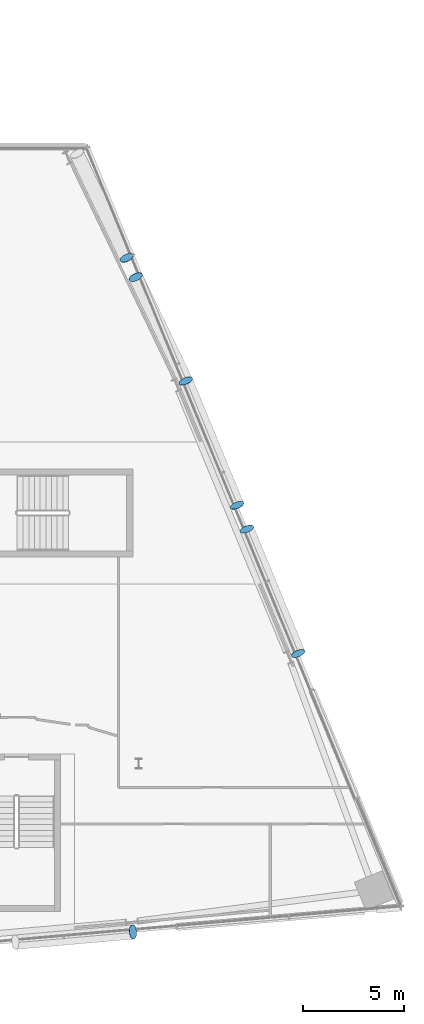
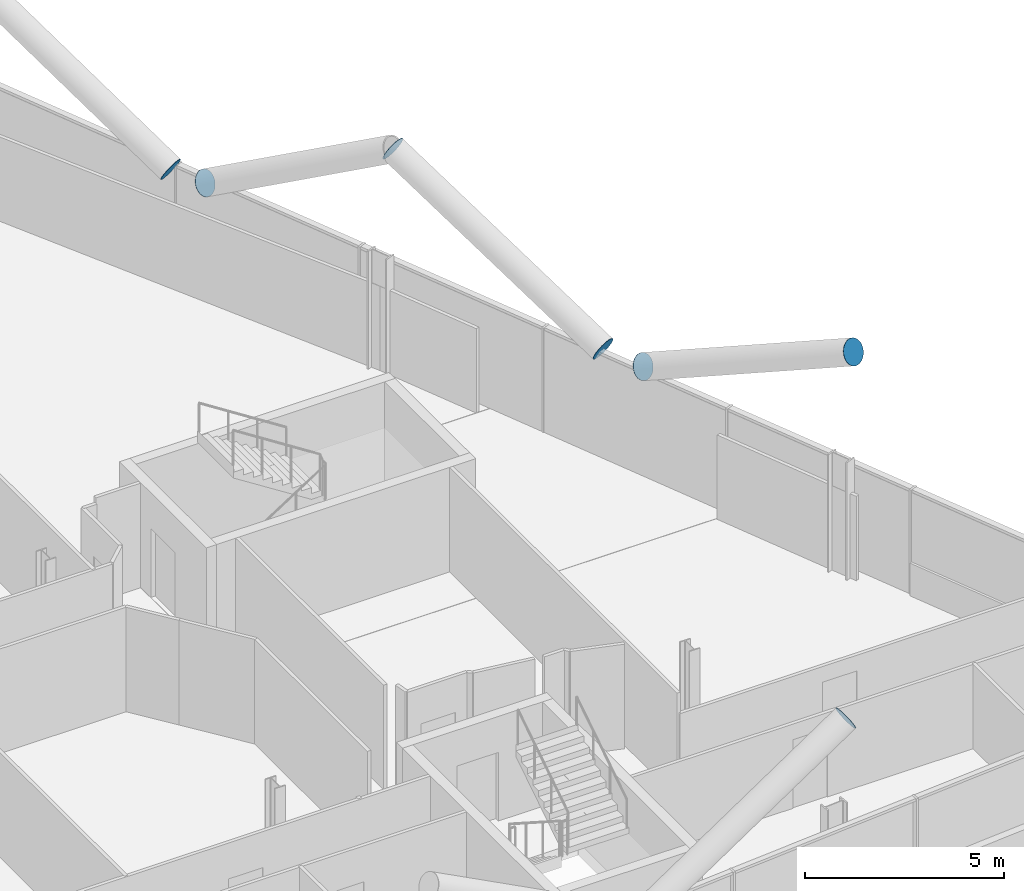
# One storey, part 24 of 27: 7 discrete accessories.
"""IFC4 building model written with IfcOpenShell, lengths in metres."""

from ifc_helpers import new_model, si_unit, direction, frame, origin, origin_2d, place, context, subcontext, project, spatial, circle, extrude, material, material_profile, profile_set, type_object, element, save


model = new_model("IFC4")

# Units and contexts
model_context = context("Model", 3, precision=1e-05, world=origin(), true_north=direction((0.0, 1.0)))
body_context = subcontext(model_context, "Body", "Model", "MODEL_VIEW")
ifc_project = project(units=[si_unit("LENGTHUNIT", "METRE"), si_unit("AREAUNIT", "SQUARE_METRE"), si_unit("VOLUMEUNIT", "CUBIC_METRE"), si_unit("PLANEANGLEUNIT", "RADIAN"), si_unit("MASSUNIT", "GRAM", prefix="KILO")], contexts=[model_context])

# Site, building, storey
site_placement = place(None, origin())
site = spatial("IfcSite", under=ifc_project, at=site_placement, CompositionType="ELEMENT")
building_placement = place(site_placement, origin())
building = spatial("IfcBuilding", under=site, at=building_placement, Name="Wharfspan Tower", CompositionType="ELEMENT")
storey_placement = place(building_placement, frame((0.0, 0.0, 195.100098)))
storey = spatial("IfcBuildingStorey", under=building, at=storey_placement, Name="L48", CompositionType="ELEMENT", Elevation=195.100098)

# Discrete accessories
ifc_material = material(Name="Steel S460NH", Category="steel")
ifc_material_profile = material_profile(ifc_material, circle(Radius=0.355469, at=origin_2d()))
ifc_profile_set = profile_set([ifc_material_profile], Name="Steel S460NH")
discrete_accessory_type = type_object("IfcDiscreteAccessoryType", Name="End plate CHS 711x36", PredefinedType="BRACKET", material=ifc_profile_set)
discrete_accessory_placement = place(storey_placement, frame((71.706055, 3.181641, 6.5), z_axis=(0.865849, 0.074216, 0.494771), x_axis=(-0.085402, 0.996345, 1e-06)))
element("IfcDiscreteAccessory", 1, at=discrete_accessory_placement, inside=storey, type_object=discrete_accessory_type, Name="End plate CHS 711x36", PredefinedType="BRACKET", context=body_context, shape_type="SweptSolid", body=[
    extrude(circle(Radius=0.355469, at=origin_2d()), origin(), (0.0, 0.0, 1.0), 0.009766),
])
for number, where, z_axis, x_axis, name in (
    (2, (76.857666, 24.266846, 3.212158), (-0.341972, 0.830504, 0.439679), (-0.924678, -0.380749, -1e-06), "End plate CHS 711x36"),
    (3, (74.320557, 30.411865, 6.5), (-0.341972, 0.830504, 0.439679), (-0.924678, -0.380749, -1e-06), "End plate CHS 711x36"),
    (4, (77.3396, 23.099609, 3.212158), (0.341972, -0.830504, 0.439679), (0.924678, 0.380749, -1e-06), "End plate CHS 711x36"),
    (5, (79.876465, 16.954346, 6.5), (0.341972, -0.830504, 0.439679), (0.924678, 0.380749, -1e-06), "End plate CHS 711x36"),
    (6, (71.404785, 36.496582, 3.200684), (-0.369386, 0.788024, 0.492515), (-0.905459, -0.424433, -1e-06), "End plate CHS 711x36"),
    (7, (71.854492, 35.55835, 3.200684), (0.369386, -0.788024, 0.492515), (0.905459, 0.424433, -1e-06), "End plate CHS 711x36"),
):
    element("IfcDiscreteAccessory", number, at=place(storey_placement, frame(where, z_axis=z_axis, x_axis=x_axis)), inside=storey, type_object=discrete_accessory_type, Name=name, PredefinedType="BRACKET", context=body_context, shape_type="SweptSolid", body=[
        extrude(circle(Radius=0.355469, at=origin_2d()), origin(), (0.0, 0.0, 1.0), 0.01001),
    ])

save(model, "model.ifc")
